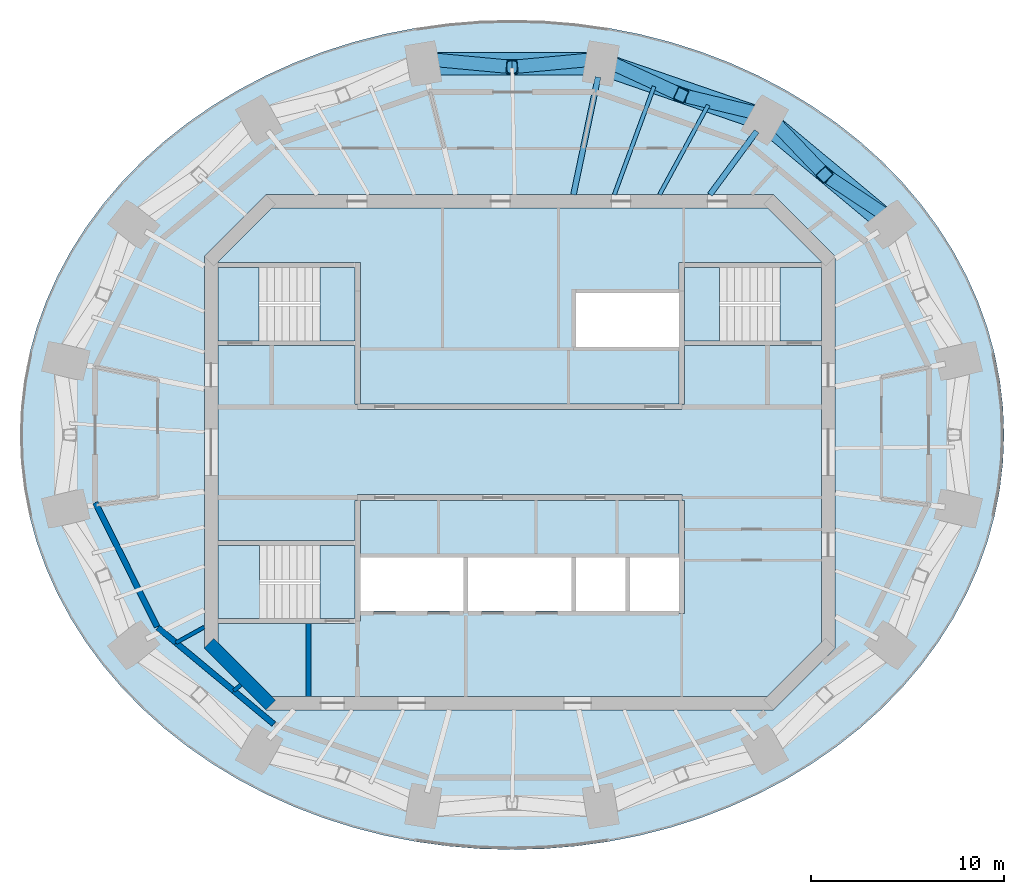
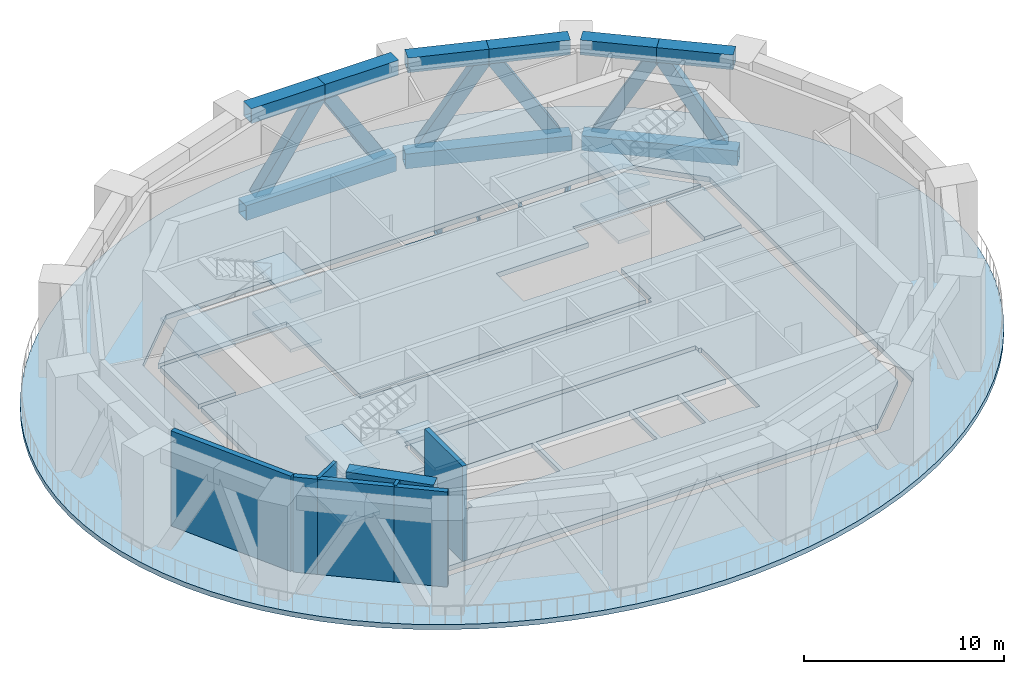
# One storey, part 3 of 9: 15 members, 15 slabs, 8 walls, 4 beams, 3 elements without a shape of their own.
"""IFC4 building model written with IfcOpenShell, lengths in metres."""

from ifc_helpers import new_model, si_unit, direction, frame, frame_2d, origin, origin_2d, place, context, subcontext, project, spatial, polyline, rectangle, hollow_rectangle, i_section, outline, extrude, material, layer, layer_set, material_profile, profile_set, type_object, element, aggregate, save


model = new_model("IFC4")

# Units and contexts
model_context = context("Model", 3, precision=1e-05, world=origin(), true_north=direction((0.0, 1.0)))
body_context = subcontext(model_context, "Body", "Model", "MODEL_VIEW")
ifc_project = project(units=[si_unit("LENGTHUNIT", "METRE"), si_unit("AREAUNIT", "SQUARE_METRE"), si_unit("VOLUMEUNIT", "CUBIC_METRE"), si_unit("PLANEANGLEUNIT", "RADIAN"), si_unit("MASSUNIT", "GRAM", prefix="KILO")], contexts=[model_context])

# Site, building, storey
site_placement = place(None, origin())
site = spatial("IfcSite", under=ifc_project, at=site_placement, CompositionType="ELEMENT")
building_placement = place(site_placement, origin())
building = spatial("IfcBuilding", under=site, at=building_placement, Name="Marenthal Gate Tower", CompositionType="ELEMENT")
storey_placement = place(building_placement, frame((0.0, 0.0, 407.550048828125)))
storey = spatial("IfcBuildingStorey", under=building, at=storey_placement, Name="L92", CompositionType="ELEMENT", Elevation=407.550048828125)

# Beams
ifc_material_1 = material(Name="Steel S355", Category="steel")
ifc_material_profile_1 = material_profile(ifc_material_1, i_section(OverallWidth=0.205078125, OverallDepth=0.31005859375, WebThickness=0.009521484375, FlangeThickness=0.016357421875, FilletRadius=0.0126953125, at=origin_2d()), Name="W310X74")
ifc_profile_set_1 = profile_set([ifc_material_profile_1], Name="Steel S355")
beam_type_1 = type_object("IfcBeamType", Name="W310X74 beam", PredefinedType="BEAM", material=ifc_profile_set_1)
beam_1_placement = place(storey_placement, frame((9.769287109375, 17.9921875, -0.455078125), z_axis=(-0.477167338956, -0.878812454756, 0.0), x_axis=(0.878812454756, -0.477167338956, 0.0)))
element("IfcBeam", 1, at=beam_1_placement, inside=storey, type_object=beam_type_1, Name="BM-L92-19", PredefinedType="BEAM", context=body_context, shape_type="SweptSolid", body=[
    extrude(i_section(OverallWidth=0.205078125, OverallDepth=0.31005859375, WebThickness=0.009521484375, FlangeThickness=0.016357421875, FilletRadius=0.0126953125, at=origin_2d()), origin(), (0.0, 0.0, 1.0), 5.2822265625),
])
beam_2_placement = place(storey_placement, frame((6.965087890625, 18.95849609375, -0.455078125), z_axis=(-0.344864485814, -0.938652484375, 0.0), x_axis=(0.938652484375, -0.344864485814, 0.0)))
element("IfcBeam", 2, at=beam_2_placement, inside=storey, type_object=beam_type_1, Name="BM-L92-20", PredefinedType="BEAM", context=body_context, shape_type="SweptSolid", body=[
    extrude(i_section(OverallWidth=0.205078125, OverallDepth=0.31005859375, WebThickness=0.009521484375, FlangeThickness=0.016357421875, FilletRadius=0.0126953125, at=origin_2d()), origin(), (0.0, 0.0, 1.0), 5.974853515625),
])
ifc_material_2 = material(Name="Steel S355", Category="steel")
ifc_material_profile_2 = material_profile(ifc_material_2, i_section(OverallWidth=0.2919921875, OverallDepth=0.841064453125, WebThickness=0.0146484375, FlangeThickness=0.021728515625, FilletRadius=0.017822265625, at=origin_2d()), Name="W840X193")
ifc_profile_set_2 = profile_set([ifc_material_profile_2], Name="Steel S355")
beam_type_2 = type_object("IfcBeamType", Name="W840X193 beam", PredefinedType="BEAM", material=ifc_profile_set_2)
beam_3_placement = place(storey_placement, frame((12.283447265625, 16.633056640625, -0.720458984375), z_axis=(-0.594078164717, -0.804407318593, 0.0), x_axis=(0.804407318593, -0.594078164717, 0.0)))
element("IfcBeam", 3, at=beam_3_placement, inside=storey, type_object=beam_type_2, Name="BM-L92-03", PredefinedType="BEAM", context=body_context, shape_type="SweptSolid", body=[
    extrude(i_section(OverallWidth=0.2919921875, OverallDepth=0.841064453125, WebThickness=0.0146484375, FlangeThickness=0.021728515625, FilletRadius=0.017822265625, at=origin_2d()), origin(), (0.0, 0.0, 1.0), 4.081298828125),
])
beam_4_placement = place(storey_placement, frame((4.05908203125, 19.437744140625, -0.720458984375), z_axis=(-0.204451180104, -0.978876761883, 0.0), x_axis=(0.978876761883, -0.204451180104, 0.0)))
element("IfcBeam", 4, at=beam_4_placement, inside=storey, type_object=beam_type_2, Name="BM-L92-04", PredefinedType="BEAM", context=body_context, shape_type="SweptSolid", body=[
    extrude(i_section(OverallWidth=0.2919921875, OverallDepth=0.841064453125, WebThickness=0.0146484375, FlangeThickness=0.021728515625, FilletRadius=0.017822265625, at=origin_2d()), origin(), (0.0, 0.0, 1.0), 6.218994140625),
])

# Members
ifc_material_3 = material(Name="Steel S460", Category="steel")
ifc_material_profile_3 = material_profile(ifc_material_3, hollow_rectangle(XDim=0.800048828125, YDim=0.89990234375, WallThickness=0.050048828125, at=origin_2d()), Name="BOX 900X800X50")
ifc_profile_set_3 = profile_set([ifc_material_profile_3], Name="Steel S460")
member_type_1 = type_object("IfcMemberType", Name="belt chord BOX 900X800X50", PredefinedType="CHORD", material=ifc_profile_set_3)
member_1_placement = place(storey_placement, frame((19.14599609375, 12.1025390625, -0.75), z_axis=(-0.768754739732, 0.639543704636, 0.0), x_axis=(-0.639543704636, -0.768754739732, 0.0)))
element("IfcMember", 5, at=member_1_placement, inside=storey, type_object=member_type_1, Name="BT-L92-06", PredefinedType="CHORD", context=body_context, shape_type="SweptSolid", body=[
    extrude(hollow_rectangle(XDim=0.800048828125, YDim=0.89990234375, WallThickness=0.050048828125, at=origin_2d()), origin(), (0.0, 0.0, 1.0), 7.9111328125),
])
member_2_placement = place(storey_placement, frame((18.7783203125, 11.89990234375, 5.349853515625), z_axis=(-0.768737261609, 0.63956471339, 0.0), x_axis=(-0.63956471339, -0.768737261609, 0.0)))
element("IfcMember", 6, at=member_2_placement, inside=storey, type_object=member_type_1, Name="BT-L92-07", PredefinedType="CHORD", context=body_context, shape_type="SweptSolid", body=[
    extrude(hollow_rectangle(XDim=0.800048828125, YDim=0.89990234375, WallThickness=0.050048828125, at=origin_2d()), origin(), (0.0, 0.0, 1.0), 3.87646484375),
])
member_3_placement = place(storey_placement, frame((15.79833984375, 14.379150390625, 5.349853515625), z_axis=(-0.768706297247, 0.639601929776, 0.0), x_axis=(-0.639601929776, -0.768706297247, 0.0)))
element("IfcMember", 7, at=member_3_placement, inside=storey, type_object=member_type_1, Name="BT-L92-08", PredefinedType="CHORD", context=body_context, shape_type="SweptSolid", body=[
    extrude(hollow_rectangle(XDim=0.800048828125, YDim=0.89990234375, WallThickness=0.050048828125, at=origin_2d()), origin(), (0.0, 0.0, 1.0), 3.876708984375),
])
member_4_placement = place(storey_placement, frame((12.527099609375, 17.46484375, -0.75), z_axis=(-0.945439584891, 0.325797469788, 0.0), x_axis=(-0.325797469788, -0.945439584891, 0.0)))
element("IfcMember", 8, at=member_4_placement, inside=storey, type_object=member_type_1, Name="BT-L92-11", PredefinedType="CHORD", context=body_context, shape_type="SweptSolid", body=[
    extrude(hollow_rectangle(XDim=0.800048828125, YDim=0.89990234375, WallThickness=0.050048828125, at=origin_2d()), origin(), (0.0, 0.0, 1.0), 8.45068359375),
])
for number, where, z_axis, x_axis, name in (
    (9, (12.281494140625, 17.161376953125, 5.349853515625), (-0.94542121384, 0.325850776309, 0.0), (-0.325850776309, -0.94542121384, 0.0), "BT-L92-12"),
    (10, (8.366455078125, 18.5107421875, 5.349853515625), (-0.94542121384, 0.325850776309, 0.0), (-0.325850776309, -0.94542121384, 0.0), "BT-L92-13"),
):
    element("IfcMember", number, at=place(storey_placement, frame(where, z_axis=z_axis, x_axis=x_axis)), inside=storey, type_object=member_type_1, Name=name, PredefinedType="CHORD", context=body_context, shape_type="SweptSolid", body=[
        extrude(hollow_rectangle(XDim=0.800048828125, YDim=0.89990234375, WallThickness=0.050048828125, at=origin_2d()), origin(), (0.0, 0.0, 1.0), 4.14111328125),
    ])
member_5_placement = place(storey_placement, frame((3.93212890625, 20.319580078125, -0.75), z_axis=(-1.0, 0.0, 0.0), x_axis=(0.0, -1.0, 0.0)))
element("IfcMember", 11, at=member_5_placement, inside=storey, type_object=member_type_1, Name="BT-L92-16", PredefinedType="CHORD", context=body_context, shape_type="SweptSolid", body=[
    extrude(hollow_rectangle(XDim=0.800048828125, YDim=0.89990234375, WallThickness=0.050048828125, at=origin_2d()), origin(), (0.0, 0.0, 1.0), 8.664306640625),
])
member_6_placement = place(storey_placement, frame((3.845947265625, 19.961669921875, 5.349853515625), z_axis=(-1.0, 0.0, 0.0), x_axis=(0.0, -1.0, 0.0)))
element("IfcMember", 12, at=member_6_placement, inside=storey, type_object=member_type_1, Name="BT-L92-17", PredefinedType="CHORD", context=body_context, shape_type="SweptSolid", body=[
    extrude(hollow_rectangle(XDim=0.800048828125, YDim=0.89990234375, WallThickness=0.050048828125, at=origin_2d()), origin(), (0.0, 0.0, 1.0), 4.245849609375),
])
member_7_placement = place(storey_placement, frame((-0.39990234375, 19.961669921875, 5.349853515625), z_axis=(-1.0, 0.0, 0.0), x_axis=(0.0, -1.0, 0.0)))
element("IfcMember", 13, at=member_7_placement, inside=storey, type_object=member_type_1, Name="BT-L92-18", PredefinedType="CHORD", context=body_context, shape_type="SweptSolid", body=[
    extrude(hollow_rectangle(XDim=0.800048828125, YDim=0.89990234375, WallThickness=0.050048828125, at=origin_2d()), origin(), (0.0, 0.0, 1.0), 4.24609375),
])
ifc_material_4 = material(Name="Steel S355", Category="steel")
ifc_material_profile_4 = material_profile(ifc_material_4, hollow_rectangle(XDim=0.699951171875, YDim=0.699951171875, WallThickness=0.0400390625, at=origin_2d()), Name="BOX 700X700X40")
ifc_profile_set_4 = profile_set([ifc_material_profile_4], Name="Steel S355")
member_type_2 = type_object("IfcMemberType", Name="belt diagonal BOX 700X700X40", PredefinedType="BRACE", material=ifc_profile_set_4)
member_8_placement = place(storey_placement, frame((18.761474609375, 12.42236328125, -0.75), z_axis=(-0.419817841204, 0.277238197021, 0.864229114483), x_axis=(-0.551061534742, -0.834464609752, 0.0)))
element("IfcMember", 14, at=member_8_placement, inside=storey, type_object=member_type_2, Name="BT-L92-09", PredefinedType="BRACE", context=body_context, shape_type="SweptSolid", body=[
    extrude(hollow_rectangle(XDim=0.699951171875, YDim=0.699951171875, WallThickness=0.0400390625, at=origin_2d()), origin(), (0.0, 0.0, 1.0), 7.05810546875),
])
member_9_placement = place(storey_placement, frame((15.79833984375, 14.379150390625, 5.349853515625), z_axis=(-0.336390694666, 0.352607347375, -0.873217818828), x_axis=(-0.723549266914, -0.690272742, 0.0)))
element("IfcMember", 15, at=member_9_placement, inside=storey, type_object=member_type_2, Name="BT-L92-10", PredefinedType="BRACE", context=body_context, shape_type="SweptSolid", body=[
    extrude(hollow_rectangle(XDim=0.699951171875, YDim=0.699951171875, WallThickness=0.0400390625, at=origin_2d()), origin(), (0.0, 0.0, 1.0), 6.985595703125),
])
member_10_placement = place(storey_placement, frame((12.054443359375, 17.627685546875, -0.75), z_axis=(-0.513463864694, 0.122944445823, 0.849258219209), x_axis=(-0.232859153369, -0.972510470222, 0.0)))
element("IfcMember", 16, at=member_10_placement, inside=storey, type_object=member_type_2, Name="BT-L92-14", PredefinedType="BRACE", context=body_context, shape_type="SweptSolid", body=[
    extrude(hollow_rectangle(XDim=0.699951171875, YDim=0.699951171875, WallThickness=0.0400390625, at=origin_2d()), origin(), (0.0, 0.0, 1.0), 7.1826171875),
])
member_11_placement = place(storey_placement, frame((8.366455078125, 18.5107421875, 5.349853515625), z_axis=(-0.470619765812, 0.216566570053, -0.855345518935), x_axis=(-0.418035412002, -0.908430731709, 0.0)))
element("IfcMember", 17, at=member_11_placement, inside=storey, type_object=member_type_2, Name="BT-L92-15", PredefinedType="BRACE", context=body_context, shape_type="SweptSolid", body=[
    extrude(hollow_rectangle(XDim=0.699951171875, YDim=0.699951171875, WallThickness=0.0400390625, at=origin_2d()), origin(), (0.0, 0.0, 1.0), 7.13134765625),
])
for number, where, z_axis, x_axis, name in (
    (18, (3.43212890625, 20.319580078125, -0.75), (-0.531300994113, -0.049623296214, 0.84572855109), (0.092994853469, -0.99566658939, 0.0), "BT-L92-19"),
    (19, (-0.39990234375, 19.961669921875, 5.349853515625), (-0.53132528786, 0.049622403772, -0.845713341224), (-0.092988980327, -0.995667137922, 0.0), "BT-L92-20"),
):
    element("IfcMember", number, at=place(storey_placement, frame(where, z_axis=z_axis, x_axis=x_axis)), inside=storey, type_object=member_type_2, Name=name, PredefinedType="BRACE", context=body_context, shape_type="SweptSolid", body=[
        extrude(hollow_rectangle(XDim=0.699951171875, YDim=0.699951171875, WallThickness=0.0400390625, at=origin_2d()), origin(), (0.0, 0.0, 1.0), 7.212646484375),
    ])

# Slabs
ifc_material_5 = material(Name="Concrete 50 MPa", Category="concrete")
ifc_layer_1 = layer(ifc_material_5, 0.300048828125)
ifc_layer_set_1 = layer_set([ifc_layer_1], Name="Core floor slab 300")
slab_type_1 = type_object("IfcSlabType", Name="Core floor slab 300", PredefinedType="FLOOR", material=ifc_layer_set_1)
slab_1_placement = place(storey_placement, frame((0.0, 0.0, -0.300048828125)))
element("IfcSlab", 20, at=slab_1_placement, inside=storey, type_object=slab_type_1, Name="Core floor L92", PredefinedType="FLOOR", context=body_context, shape_type="SweptSolid", body=[
    extrude(outline(polyline([(12.85498046875, -12.64990234375), (-12.85498046875, -12.64990234375), (-15.64990234375, -9.85498046875), (-15.64990234375, -8.875), (-8.550048828125, -8.875), (-8.550048828125, -8.75), (-8.25, -8.75), (-8.25, -8.239990234375), (-5.60009765625, -8.239990234375), (-2.909912109375, -8.239990234375), (-2.909912109375, -5.4599609375), (-5.60009765625, -5.4599609375), (-8.25, -5.4599609375), (-8.25, -2.5), (8.25, -2.5), (8.25, -5.4599609375), (5.7099609375, -5.4599609375), (5.7099609375, -8.239990234375), (8.25, -8.239990234375), (8.25, -8.35009765625), (8.550048828125, -8.35009765625), (8.550048828125, -2.5), (8.39990234375, -2.5), (8.39990234375, -2.199951171875), (-8.39990234375, -2.199951171875), (-8.39990234375, -2.5), (-8.550048828125, -2.5), (-8.550048828125, -4.574951171875), (-15.64990234375, -4.574951171875), (-15.64990234375, 5.52490234375), (-8.550048828125, 5.52490234375), (-8.550048828125, 2.5), (-8.39990234375, 2.5), (-8.39990234375, 2.199951171875), (8.39990234375, 2.199951171875), (8.39990234375, 2.5), (8.550048828125, 2.5), (8.550048828125, 5.52490234375), (15.64990234375, 5.52490234375), (15.64990234375, -9.85498046875), (12.85498046875, -12.64990234375)]), holes=[polyline([(0.0, -8.239990234375), (2.68994140625, -8.239990234375), (2.68994140625, -5.4599609375), (0.0, -5.4599609375), (-2.68994140625, -5.4599609375), (-2.68994140625, -8.239990234375), (0.0, -8.239990234375)]), polyline([(5.489990234375, -5.4599609375), (2.909912109375, -5.4599609375), (2.909912109375, -8.239990234375), (5.489990234375, -8.239990234375), (5.489990234375, -5.4599609375)])]), origin(), (0.0, 0.0, 1.0), 0.300048828125),
])
slab_2_placement = place(storey_placement, frame((0.0, 0.0, -0.300048828125)))
element("IfcSlab", 21, at=slab_2_placement, inside=storey, type_object=slab_type_1, Name="Core floor L92", PredefinedType="FLOOR", context=body_context, shape_type="SweptSolid", body=[
    extrude(outline(polyline([(15.64990234375, 5.77490234375), (13.5, 5.77490234375), (13.5, 9.574951171875), (15.64990234375, 9.574951171875), (15.64990234375, 5.77490234375)])), origin(), (0.0, 0.0, 1.0), 0.300048828125),
])
slab_3_placement = place(storey_placement, frame((0.0, 0.0, -0.300048828125)))
element("IfcSlab", 22, at=slab_3_placement, inside=storey, type_object=slab_type_1, Name="Core floor L92", PredefinedType="FLOOR", context=body_context, shape_type="SweptSolid", body=[
    extrude(outline(polyline([(15.64990234375, 9.824951171875), (8.550048828125, 9.824951171875), (8.25, 9.824951171875), (8.25, 8.35009765625), (8.25, 8.239990234375), (5.60009765625, 8.239990234375), (2.909912109375, 8.239990234375), (2.909912109375, 5.4599609375), (5.60009765625, 5.4599609375), (8.25, 5.4599609375), (8.25, 2.5), (-8.25, 2.5), (-8.25, 8.35009765625), (-8.25, 9.824951171875), (-8.550048828125, 9.824951171875), (-15.64990234375, 9.824951171875), (-15.64990234375, 9.85498046875), (-12.85498046875, 12.64990234375), (12.85498046875, 12.64990234375), (15.64990234375, 9.85498046875), (15.64990234375, 9.824951171875)])), origin(), (0.0, 0.0, 1.0), 0.300048828125),
])
slab_4_placement = place(storey_placement, frame((0.0, 0.0, -0.300048828125)))
element("IfcSlab", 23, at=slab_4_placement, inside=storey, type_object=slab_type_1, Name="Core floor L92", PredefinedType="FLOOR", context=body_context, shape_type="SweptSolid", body=[
    extrude(outline(polyline([(-15.64990234375, 9.574951171875), (-13.5, 9.574951171875), (-13.5, 5.77490234375), (-15.64990234375, 5.77490234375), (-15.64990234375, 9.574951171875)])), origin(), (0.0, 0.0, 1.0), 0.300048828125),
])
slab_5_placement = place(storey_placement, frame((0.0, 0.0, -0.300048828125)))
element("IfcSlab", 24, at=slab_5_placement, inside=storey, type_object=slab_type_1, Name="Core floor L92", PredefinedType="FLOOR", context=body_context, shape_type="SweptSolid", body=[
    extrude(outline(polyline([(-8.550048828125, -4.824951171875), (-8.550048828125, -8.625), (-10.35009765625, -8.625), (-10.35009765625, -4.824951171875), (-8.550048828125, -4.824951171875)])), origin(), (0.0, 0.0, 1.0), 0.300048828125),
])
ifc_material_6 = material(Name="Concrete 35 MPa", Category="concrete")
ifc_layer_2 = layer(ifc_material_6, 0.300048828125)
ifc_layer_set_2 = layer_set([ifc_layer_2], Name="Refuge floor slab 300")
slab_type_2 = type_object("IfcSlabType", Name="Refuge floor slab 300", PredefinedType="FLOOR", material=ifc_layer_set_2)
slab_6_placement = place(storey_placement, frame((0.0, 0.0, -0.300048828125)))
element("IfcSlab", 25, at=slab_6_placement, inside=storey, type_object=slab_type_2, Name="SL-L92-01", PredefinedType="FLOOR", context=body_context, shape_type="SweptSolid", body=[
    extrude(outline(polyline([(25.10009765625, 0.89990234375), (25.04541015625, 2.30615234375), (24.8818359375, 3.706298828125), (24.610107421875, 5.094482421875), (24.231201171875, 6.464599609375), (23.74658203125, 7.810791015625), (23.158935546875, 9.127685546875), (22.47021484375, 10.4091796875), (21.68359375, 11.64990234375), (20.802490234375, 12.8447265625), (19.83056640625, 13.98828125), (18.77197265625, 15.075927734375), (17.631103515625, 16.102783203125), (16.413330078125, 17.064697265625), (15.123291015625, 17.95703125), (13.76708984375, 18.776611328125), (12.35009765625, 19.51953125), (10.87841796875, 20.182861328125), (9.3583984375, 20.763427734375), (7.796630859375, 21.259033203125), (6.199951171875, 21.66748046875), (4.57470703125, 21.98681640625), (2.928466796875, 22.216064453125), (1.267822265625, 22.35400390625), (-0.39990234375, 22.39990234375), (-2.06787109375, 22.35400390625), (-3.728515625, 22.216064453125), (-5.374755859375, 21.98681640625), (-7.0, 21.66748046875), (-8.5966796875, 21.259033203125), (-10.158447265625, 20.763427734375), (-11.678466796875, 20.182861328125), (-13.14990234375, 19.51953125), (-14.56689453125, 18.776611328125), (-15.92333984375, 17.95703125), (-17.21337890625, 17.064697265625), (-18.43115234375, 16.102783203125), (-19.572021484375, 15.075927734375), (-20.630615234375, 13.98828125), (-21.6025390625, 12.8447265625), (-22.483642578125, 11.64990234375), (-23.270263671875, 10.4091796875), (-23.958984375, 9.127685546875), (-24.546630859375, 7.810791015625), (-25.031005859375, 6.464599609375), (-25.409912109375, 5.094482421875), (-25.681884765625, 3.706298828125), (-25.845458984375, 2.30615234375), (-25.89990234375, 0.89990234375), (-25.845458984375, -0.506103515625), (-25.681884765625, -1.90625), (-25.409912109375, -3.29443359375), (-25.031005859375, -4.66455078125), (-24.546630859375, -6.010986328125), (-23.958984375, -7.32763671875), (-23.270263671875, -8.609130859375), (-22.483642578125, -9.85009765625), (-21.6025390625, -11.044921875), (-20.630615234375, -12.1884765625), (-19.572021484375, -13.27587890625), (-18.43115234375, -14.302734375), (-17.21337890625, -15.2646484375), (-15.92333984375, -16.156982421875), (-14.56689453125, -16.9765625), (-13.14990234375, -17.719482421875), (-11.678466796875, -18.3828125), (-10.158447265625, -18.96337890625), (-8.5966796875, -19.458984375), (-7.0, -19.867431640625), (-5.374755859375, -20.18701171875), (-3.728515625, -20.416015625), (-2.06787109375, -20.553955078125), (-0.39990234375, -20.60009765625), (1.267822265625, -20.553955078125), (2.928466796875, -20.416015625), (4.57470703125, -20.18701171875), (6.199951171875, -19.867431640625), (7.796630859375, -19.458984375), (9.3583984375, -18.96337890625), (10.87841796875, -18.3828125), (12.35009765625, -17.719482421875), (13.76708984375, -16.9765625), (15.123291015625, -16.156982421875), (16.413330078125, -15.2646484375), (17.631103515625, -14.302734375), (18.77197265625, -13.27587890625), (19.83056640625, -12.1884765625), (20.802490234375, -11.044921875), (21.68359375, -9.85009765625), (22.47021484375, -8.609130859375), (23.158935546875, -7.32763671875), (23.74658203125, -6.010986328125), (24.231201171875, -4.66455078125), (24.610107421875, -3.29443359375), (24.8818359375, -1.90625), (25.04541015625, -0.506103515625), (25.10009765625, 0.89990234375)]), holes=[polyline([(13.14501953125, -13.35009765625), (16.35009765625, -10.14501953125), (16.35009765625, 10.14501953125), (13.14501953125, 13.35009765625), (-13.14501953125, 13.35009765625), (-16.35009765625, 10.14501953125), (-16.35009765625, -10.14501953125), (-13.14501953125, -13.35009765625), (13.14501953125, -13.35009765625)])]), origin(), (0.0, 0.0, 1.0), 0.300048828125),
])

# Stair, slabs
ifc_material_7 = material(Name="Concrete 40 MPa", Category="concrete")
stair_type = type_object("IfcStairType", Name="Exit stair 1800", PredefinedType="HALF_TURN_STAIR", material=ifc_material_7)
stair_1_placement = place(storey_placement, origin())
stair_1 = element("IfcStair", 26, at=stair_1_placement, inside=storey, type_object=stair_type, Name="Stair ST1", PredefinedType="HALF_TURN_STAIR")
ifc_material_8 = material(Name="Concrete 40 MPa", Category="concrete")
ifc_layer_3 = layer(ifc_material_8, 0.199951171875)
ifc_layer_set_3 = layer_set([ifc_layer_3], Name="Stair landing 200")
slab_type_3 = type_object("IfcSlabType", Name="Stair landing 200", PredefinedType="LANDING", material=ifc_layer_set_3)
slab_7_placement = place(storey_placement, frame((0.0, 0.0, 1.300048828125)))
slab_7 = element("IfcSlab", 27, at=slab_7_placement, type_object=slab_type_3, Name="ST1 landing 1", PredefinedType="LANDING", context=body_context, shape_type="SweptSolid", body=[
    extrude(outline(polyline([(-10.350341796875, 5.77490234375), (-8.550048828125, 5.77490234375), (-8.550048828125, 9.574951171875), (-10.350341796875, 9.574951171875), (-10.350341796875, 5.77490234375)])), origin(), (0.0, 0.0, 1.0), 0.199951171875),
])
slab_8_placement = place(storey_placement, frame((0.0, 0.0, 2.800048828125)))
slab_8 = element("IfcSlab", 28, at=slab_8_placement, type_object=slab_type_3, Name="ST1 landing 2", PredefinedType="LANDING", context=body_context, shape_type="SweptSolid", body=[
    extrude(outline(polyline([(-15.64990234375, 5.77490234375), (-13.5, 5.77490234375), (-13.5, 9.574951171875), (-15.64990234375, 9.574951171875), (-15.64990234375, 5.77490234375)])), origin(), (0.0, 0.0, 1.0), 0.199951171875),
])
slab_9_placement = place(storey_placement, frame((0.0, 0.0, 4.300048828125)))
slab_9 = element("IfcSlab", 29, at=slab_9_placement, type_object=slab_type_3, Name="ST1 landing 3", PredefinedType="LANDING", context=body_context, shape_type="SweptSolid", body=[
    extrude(outline(polyline([(-10.350341796875, 5.77490234375), (-8.550048828125, 5.77490234375), (-8.550048828125, 9.574951171875), (-10.350341796875, 9.574951171875), (-10.350341796875, 5.77490234375)])), origin(), (0.0, 0.0, 1.0), 0.199951171875),
])
aggregate(stair_1, [slab_7, slab_8, slab_9])

stair_2_placement = place(storey_placement, origin())
stair_2 = element("IfcStair", 30, at=stair_2_placement, inside=storey, type_object=stair_type, Name="Stair ST2", PredefinedType="HALF_TURN_STAIR")
slab_10_placement = place(storey_placement, frame((0.0, 0.0, 1.300048828125)))
slab_10 = element("IfcSlab", 31, at=slab_10_placement, type_object=slab_type_3, Name="ST2 landing 1", PredefinedType="LANDING", context=body_context, shape_type="SweptSolid", body=[
    extrude(outline(polyline([(-15.64990234375, -8.625), (-13.49951171875, -8.625), (-13.49951171875, -4.824951171875), (-15.64990234375, -4.824951171875), (-15.64990234375, -8.625)])), origin(), (0.0, 0.0, 1.0), 0.199951171875),
])
slab_11_placement = place(storey_placement, frame((0.0, 0.0, 2.800048828125)))
slab_11 = element("IfcSlab", 32, at=slab_11_placement, type_object=slab_type_3, Name="ST2 landing 2", PredefinedType="LANDING", context=body_context, shape_type="SweptSolid", body=[
    extrude(outline(polyline([(-10.35009765625, -8.625), (-8.550048828125, -8.625), (-8.550048828125, -4.824951171875), (-10.35009765625, -4.824951171875), (-10.35009765625, -8.625)])), origin(), (0.0, 0.0, 1.0), 0.199951171875),
])
slab_12_placement = place(storey_placement, frame((0.0, 0.0, 4.300048828125)))
slab_12 = element("IfcSlab", 33, at=slab_12_placement, type_object=slab_type_3, Name="ST2 landing 3", PredefinedType="LANDING", context=body_context, shape_type="SweptSolid", body=[
    extrude(outline(polyline([(-15.64990234375, -8.625), (-13.49951171875, -8.625), (-13.49951171875, -4.824951171875), (-15.64990234375, -4.824951171875), (-15.64990234375, -8.625)])), origin(), (0.0, 0.0, 1.0), 0.199951171875),
])
aggregate(stair_2, [slab_10, slab_11, slab_12])

stair_3_placement = place(storey_placement, origin())
stair_3 = element("IfcStair", 34, at=stair_3_placement, inside=storey, type_object=stair_type, Name="Stair ST3", PredefinedType="HALF_TURN_STAIR")
slab_13_placement = place(storey_placement, frame((0.0, 0.0, 1.300048828125)))
slab_13 = element("IfcSlab", 35, at=slab_13_placement, type_object=slab_type_3, Name="ST3 landing 1", PredefinedType="LANDING", context=body_context, shape_type="SweptSolid", body=[
    extrude(outline(polyline([(8.550048828125, 5.77490234375), (10.350341796875, 5.77490234375), (10.350341796875, 9.574951171875), (8.550048828125, 9.574951171875), (8.550048828125, 5.77490234375)])), origin(), (0.0, 0.0, 1.0), 0.199951171875),
])
slab_14_placement = place(storey_placement, frame((0.0, 0.0, 2.800048828125)))
slab_14 = element("IfcSlab", 36, at=slab_14_placement, type_object=slab_type_3, Name="ST3 landing 2", PredefinedType="LANDING", context=body_context, shape_type="SweptSolid", body=[
    extrude(outline(polyline([(13.5, 5.77490234375), (15.64990234375, 5.77490234375), (15.64990234375, 9.574951171875), (13.5, 9.574951171875), (13.5, 5.77490234375)])), origin(), (0.0, 0.0, 1.0), 0.199951171875),
])
slab_15_placement = place(storey_placement, frame((0.0, 0.0, 4.300048828125)))
slab_15 = element("IfcSlab", 37, at=slab_15_placement, type_object=slab_type_3, Name="ST3 landing 3", PredefinedType="LANDING", context=body_context, shape_type="SweptSolid", body=[
    extrude(outline(polyline([(8.550048828125, 5.77490234375), (10.350341796875, 5.77490234375), (10.350341796875, 9.574951171875), (8.550048828125, 9.574951171875), (8.550048828125, 5.77490234375)])), origin(), (0.0, 0.0, 1.0), 0.199951171875),
])
aggregate(stair_3, [slab_13, slab_14, slab_15])

# Walls
ifc_material_9 = material(Name="Concrete 60 MPa", Category="concrete")
ifc_layer_4 = layer(ifc_material_9, 0.699951171875)
ifc_layer_set_4 = layer_set([ifc_layer_4], Name="Core shear wall 700")
wall_type_1 = type_object("IfcWallType", Name="Core shear wall 700", PredefinedType="SHEAR", material=ifc_layer_set_4)
wall_1_placement = place(storey_placement, frame((-16.1025390625, -9.8974609375, -0.300048828125), z_axis=(0.0, 0.0, 1.0), x_axis=(0.707106781187, -0.707106781187, 0.0)))
element("IfcWall", 38, at=wall_1_placement, inside=storey, type_object=wall_type_1, Name="Core wall 07", PredefinedType="SHEAR", context=body_context, shape_type="SweptSolid", body=[
    extrude(rectangle(XDim=4.53271484375, YDim=0.699951171875, at=frame_2d((2.266357421875, 0.0))), origin(), (0.0, 0.0, 1.0), 6.10009765625),
])
ifc_material_10 = material(Name="Concrete 40 MPa", Category="concrete")
ifc_layer_5 = layer(ifc_material_10, 0.300048828125)
ifc_layer_set_5 = layer_set([ifc_layer_5], Name="External wall 300")
wall_type_2 = type_object("IfcWallType", Name="External wall 300", PredefinedType="STANDARD", material=ifc_layer_set_5)
wall_2_placement = place(storey_placement, frame((-14.82275390625, -12.365478515625, 0.0), z_axis=(0.0, 0.0, 1.0), x_axis=(-0.76873574398, 0.63956653753, 0.0)))
element("IfcWall", 39, at=wall_2_placement, inside=storey, type_object=wall_type_2, Name="External wall 53", PredefinedType="STANDARD", context=body_context, shape_type="SweptSolid", body=[
    extrude(rectangle(XDim=3.887939453125, YDim=0.300048828125, at=frame_2d((1.94384765625, 0.0))), origin(), (0.0, 0.0, 1.0), 5.800048828125),
])
wall_3_placement = place(storey_placement, frame((-18.793701171875, -9.044921875, 0.0), z_axis=(0.0, 0.0, 1.0), x_axis=(-0.445648754576, 0.895207901856, 0.0)))
element("IfcWall", 40, at=wall_3_placement, inside=storey, type_object=wall_type_2, Name="External wall 67", PredefinedType="STANDARD", context=body_context, shape_type="SweptSolid", body=[
    extrude(rectangle(XDim=7.179931640625, YDim=0.300048828125, at=frame_2d((3.58984375, 0.0))), origin(), (0.0, 0.0, 1.0), 5.800048828125),
])
wall_4_placement = place(storey_placement, frame((-12.74951171875, -14.09033203125, 0.0), z_axis=(0.0, 0.0, 1.0), x_axis=(-0.768703742764, 0.639604999872, 0.0)))
element("IfcWall", 41, at=wall_4_placement, inside=storey, type_object=wall_type_2, Name="External wall 70", PredefinedType="STANDARD", context=body_context, shape_type="SweptSolid", body=[
    extrude(rectangle(XDim=2.69482421875, YDim=0.300048828125, at=frame_2d((1.347412109375, 0.0))), origin(), (0.0, 0.0, 1.0), 5.800048828125),
])
wall_5_placement = place(storey_placement, frame((-17.81298828125, -9.87744140625, 0.0), z_axis=(0.0, 0.0, 1.0), x_axis=(-0.768776040235, 0.639518099791, 0.0)))
element("IfcWall", 42, at=wall_5_placement, inside=storey, type_object=wall_type_2, Name="External wall 71", PredefinedType="STANDARD", context=body_context, shape_type="SweptSolid", body=[
    extrude(rectangle(XDim=1.225830078125, YDim=0.300048828125, at=frame_2d((0.61279296875, 0.0))), origin(), (0.0, 0.0, 1.0), 5.800048828125),
])
ifc_material_11 = material(Name="Gypsum board on steel studs", Category="steel")
ifc_layer_6 = layer(ifc_material_11, 0.199951171875)
ifc_layer_set_6 = layer_set([ifc_layer_6], Name="Partition 200")
wall_type_3 = type_object("IfcWallType", Name="Partition 200", PredefinedType="PARTITIONING", material=ifc_layer_set_6)
wall_6_placement = place(storey_placement, frame((-17.81298828125, -9.87744140625, 0.0), z_axis=(0.0, 0.0, 1.0), x_axis=(0.874521900021, 0.484986026998, 0.0)))
element("IfcWall", 43, at=wall_6_placement, inside=storey, type_object=wall_type_3, Name="Partition wall 82", PredefinedType="PARTITIONING", context=body_context, shape_type="SweptSolid", body=[
    extrude(rectangle(XDim=1.6728515625, YDim=0.199951171875, at=frame_2d((0.83642578125, 0.0))), origin(), (0.0, 0.0, 1.0), 5.800048828125),
])
wall_7_placement = place(storey_placement, frame((-14.821044921875, -12.366943359375, 0.0), z_axis=(0.0, 0.0, 1.0), x_axis=(0.767773609771, 0.640721221858, 0.0)))
element("IfcWall", 44, at=wall_7_placement, inside=storey, type_object=wall_type_3, Name="Partition wall 84", PredefinedType="PARTITIONING", context=body_context, shape_type="SweptSolid", body=[
    extrude(rectangle(XDim=0.491943359375, YDim=0.199951171875, at=frame_2d((0.24609375, 0.0))), origin(), (0.0, 0.0, 1.0), 5.800048828125),
])
ifc_material_12 = material(Name="Concrete 40 MPa", Category="concrete")
ifc_layer_7 = layer(ifc_material_12, 0.25)
ifc_layer_set_7 = layer_set([ifc_layer_7], Name="Stair enclosure wall 250")
wall_type_4 = type_object("IfcWallType", Name="Stair enclosure wall 250", PredefinedType="STANDARD", material=ifc_layer_set_7)
wall_8_placement = place(storey_placement, frame((-10.949951171875, -12.64990234375, 0.0), z_axis=(0.0, 0.0, 1.0), x_axis=(0.0, 1.0, 0.0)))
element("IfcWall", 45, at=wall_8_placement, inside=storey, type_object=wall_type_4, Name="Stair wall 30", PredefinedType="STANDARD", context=body_context, shape_type="SweptSolid", body=[
    extrude(rectangle(XDim=3.77490234375, YDim=0.25, at=frame_2d((1.887451171875, 0.0))), origin(), (0.0, 0.0, 1.0), 5.800048828125),
])

save(model, "model.ifc")
